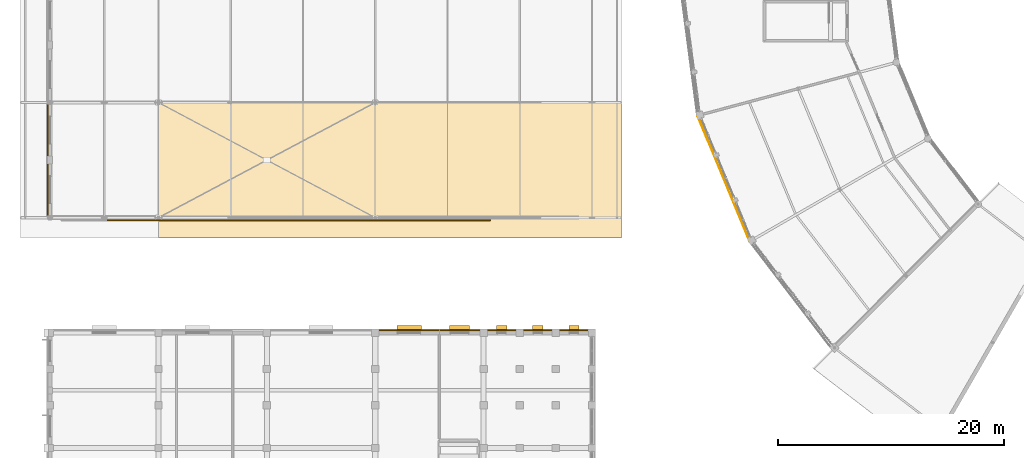
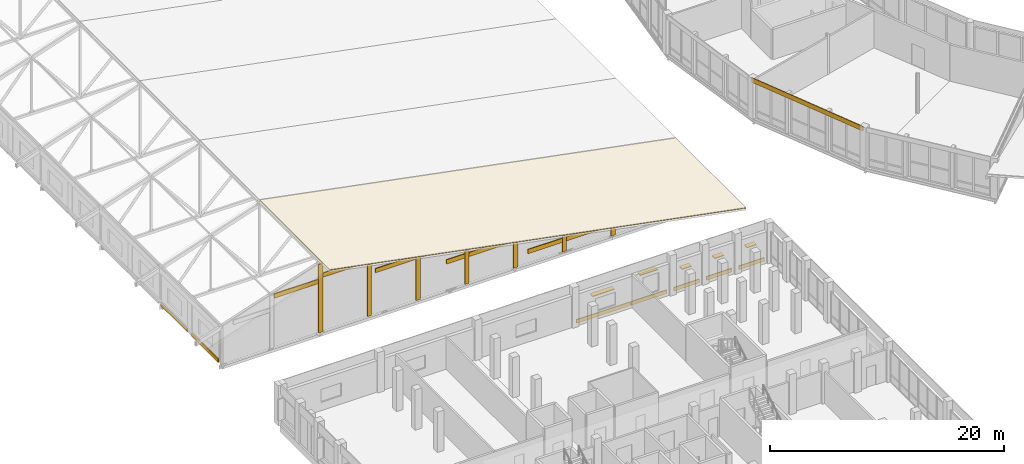
# One storey, part 193 of 200: 21 coverings, 5 shading devices.
"""IFC4 building model written with IfcOpenShell, lengths in metres."""

from ifc_helpers import new_model, si_unit, direction, frame, origin, origin_2d, place, context, subcontext, project, spatial, polyline, rectangle, outline, extrude, material, layer, layer_set, type_object, element, save


model = new_model("IFC4")

# Units and contexts
model_context = context("Model", 3, precision=1e-05, world=origin(), true_north=direction((0.0, 1.0)))
body_context = subcontext(model_context, "Body", "Model", "MODEL_VIEW")
ifc_project = project(units=[si_unit("LENGTHUNIT", "METRE"), si_unit("AREAUNIT", "SQUARE_METRE"), si_unit("VOLUMEUNIT", "CUBIC_METRE"), si_unit("PLANEANGLEUNIT", "RADIAN"), si_unit("MASSUNIT", "GRAM", prefix="KILO")], contexts=[model_context])

# Site, building, storey
site_placement = place(None, origin())
site = spatial("IfcSite", under=ifc_project, at=site_placement, CompositionType="ELEMENT")
building_placement = place(site_placement, origin())
building = spatial("IfcBuilding", under=site, at=building_placement, Name="Vondelvale Polytechnic", CompositionType="ELEMENT")
storey_placement = place(building_placement, frame((0.0, 0.0, 13.800048828125)))
storey = spatial("IfcBuildingStorey", under=building, at=storey_placement, Name="L03", CompositionType="ELEMENT", Elevation=13.800048828125)

# Coverings
ifc_material_1 = material(Name="Amsterdam School iron-spot clinker clay brickwork", Category="masonry")
ifc_layer_1 = layer(ifc_material_1, 0.090087890625)
ifc_layer_set_1 = layer_set([ifc_layer_1], Name="COV-BRICK-RELIEF")
covering_type_1 = type_object("IfcCoveringType", Name="COV-BRICK-RELIEF", PredefinedType="CLADDING", material=ifc_layer_set_1)
for number, where, z_axis, x_axis, name in (
    (1, (-0.2109375, 53.456787109375, 0.0), (0.0, 0.0, 1.0), (0.0, 1.0, 0.0), "L03 exterior corbelled masonry relief band"),
    (2, (-0.2109375, 58.743408203125, 0.0), (0.0, 0.0, 1.0), (0.0, 1.0, 0.0), "L03 exterior corbelled masonry relief band"),
):
    element("IfcCovering", number, at=place(storey_placement, frame(where, z_axis=z_axis, x_axis=x_axis)), inside=storey, type_object=covering_type_1, Name=name, PredefinedType="CLADDING", context=body_context, shape_type="SweptSolid", body=[
        extrude(rectangle(XDim=4.5244140625, YDim=0.090087890625, at=origin_2d()), origin(), (0.0, 0.0, 1.0), 0.3798828125),
    ])
covering_1_placement = place(storey_placement, frame((9.60009765625, 50.784912109375, 0.0), z_axis=(0.0, 0.0, 1.0), x_axis=(1.0, 0.0, 0.0)))
element("IfcCovering", 3, at=covering_1_placement, inside=storey, type_object=covering_type_1, Name="L03 Amsterdam School gable vertical brick pier S-2", PredefinedType="CLADDING", context=body_context, shape_type="SweptSolid", body=[
    extrude(rectangle(XDim=0.419921875, YDim=0.090087890625, at=origin_2d()), origin(), (0.0, 0.0, 1.0), 7.119140625),
])
covering_2_placement = place(storey_placement, frame((14.39990234375, 50.784912109375, 0.0), z_axis=(0.0, 0.0, 1.0), x_axis=(1.0, 0.0, 0.0)))
element("IfcCovering", 4, at=covering_2_placement, inside=storey, type_object=covering_type_1, Name="L03 Amsterdam School gable vertical brick pier S-3", PredefinedType="CLADDING", context=body_context, shape_type="SweptSolid", body=[
    extrude(rectangle(XDim=0.419921875, YDim=0.090087890625, at=origin_2d()), origin(), (0.0, 0.0, 1.0), 6.201416015625),
])
covering_3_placement = place(storey_placement, frame((19.199951171875, 50.784912109375, 0.0), z_axis=(0.0, 0.0, 1.0), x_axis=(1.0, 0.0, 0.0)))
element("IfcCovering", 5, at=covering_3_placement, inside=storey, type_object=covering_type_1, Name="L03 Amsterdam School gable vertical brick pier S-4", PredefinedType="CLADDING", context=body_context, shape_type="SweptSolid", body=[
    extrude(rectangle(XDim=0.419921875, YDim=0.090087890625, at=origin_2d()), origin(), (0.0, 0.0, 1.0), 5.2763671875),
])
covering_4_placement = place(storey_placement, frame((24.0, 50.784912109375, 0.0), z_axis=(0.0, 0.0, 1.0), x_axis=(1.0, 0.0, 0.0)))
element("IfcCovering", 6, at=covering_4_placement, inside=storey, type_object=covering_type_1, Name="L03 Amsterdam School gable vertical brick pier S-5", PredefinedType="CLADDING", context=body_context, shape_type="SweptSolid", body=[
    extrude(rectangle(XDim=0.419921875, YDim=0.090087890625, at=origin_2d()), origin(), (0.0, 0.0, 1.0), 4.351318359375),
])
covering_5_placement = place(storey_placement, frame((28.800048828125, 50.784912109375, 0.0), z_axis=(0.0, 0.0, 1.0), x_axis=(1.0, 0.0, 0.0)))
element("IfcCovering", 7, at=covering_5_placement, inside=storey, type_object=covering_type_1, Name="L03 Amsterdam School gable vertical brick pier S-6", PredefinedType="CLADDING", context=body_context, shape_type="SweptSolid", body=[
    extrude(rectangle(XDim=0.419921875, YDim=0.090087890625, at=origin_2d()), origin(), (0.0, 0.0, 1.0), 3.42626953125),
])
covering_6_placement = place(storey_placement, frame((33.60009765625, 50.784912109375, 0.0), z_axis=(0.0, 0.0, 1.0), x_axis=(1.0, 0.0, 0.0)))
element("IfcCovering", 8, at=covering_6_placement, inside=storey, type_object=covering_type_1, Name="L03 Amsterdam School gable vertical brick pier S-7", PredefinedType="CLADDING", context=body_context, shape_type="SweptSolid", body=[
    extrude(rectangle(XDim=0.419921875, YDim=0.090087890625, at=origin_2d()), origin(), (0.0, 0.0, 1.0), 2.501220703125),
])
covering_7_placement = place(storey_placement, frame((38.39990234375, 50.784912109375, 0.0), z_axis=(0.0, 0.0, 1.0), x_axis=(1.0, 0.0, 0.0)))
element("IfcCovering", 9, at=covering_7_placement, inside=storey, type_object=covering_type_1, Name="L03 Amsterdam School gable vertical brick pier S-8", PredefinedType="CLADDING", context=body_context, shape_type="SweptSolid", body=[
    extrude(rectangle(XDim=0.419921875, YDim=0.090087890625, at=origin_2d()), origin(), (0.0, 0.0, 1.0), 1.576416015625),
])
covering_8_placement = place(storey_placement, frame((7.300048828125, 50.784912109375, 5.14599609375), z_axis=(0.0, 0.0, 1.0), x_axis=(1.0, 0.0, 0.0)))
element("IfcCovering", 10, at=covering_8_placement, inside=storey, type_object=covering_type_1, Name="L03 stepped brick gable corbel S-2", PredefinedType="CLADDING", context=body_context, shape_type="SweptSolid", body=[
    extrude(rectangle(XDim=4.60009765625, YDim=0.090087890625, at=origin_2d()), origin(), (0.0, 0.0, 1.0), 0.43994140625),
])
covering_9_placement = place(storey_placement, frame((12.300048828125, 50.784912109375, 5.645751953125), z_axis=(0.0, 0.0, 1.0), x_axis=(1.0, 0.0, 0.0)))
element("IfcCovering", 11, at=covering_9_placement, inside=storey, type_object=covering_type_1, Name="L03 stepped brick gable corbel S-3", PredefinedType="CLADDING", context=body_context, shape_type="SweptSolid", body=[
    extrude(rectangle(XDim=5.39990234375, YDim=0.090087890625, at=origin_2d()), origin(), (0.0, 0.0, 1.0), 0.43994140625),
])
covering_10_placement = place(storey_placement, frame((18.5, 50.784912109375, 4.296630859375), z_axis=(0.0, 0.0, 1.0), x_axis=(1.0, 0.0, 0.0)))
element("IfcCovering", 12, at=covering_10_placement, inside=storey, type_object=covering_type_1, Name="L03 stepped brick gable corbel S-4", PredefinedType="CLADDING", context=body_context, shape_type="SweptSolid", body=[
    extrude(rectangle(XDim=7.0, YDim=0.090087890625, at=origin_2d()), origin(), (0.0, 0.0, 1.0), 0.43994140625),
])
covering_11_placement = place(storey_placement, frame((26.0, 50.784912109375, 2.755126953125), z_axis=(0.0, 0.0, 1.0), x_axis=(1.0, 0.0, 0.0)))
element("IfcCovering", 13, at=covering_11_placement, inside=storey, type_object=covering_type_1, Name="L03 stepped brick gable corbel S-5", PredefinedType="CLADDING", context=body_context, shape_type="SweptSolid", body=[
    extrude(rectangle(XDim=8.0, YDim=0.090087890625, at=origin_2d()), origin(), (0.0, 0.0, 1.0), 0.43994140625),
])
covering_12_placement = place(storey_placement, frame((34.5, 50.784912109375, 1.020751953125), z_axis=(0.0, 0.0, 1.0), x_axis=(1.0, 0.0, 0.0)))
element("IfcCovering", 14, at=covering_12_placement, inside=storey, type_object=covering_type_1, Name="L03 stepped brick gable corbel S-6", PredefinedType="CLADDING", context=body_context, shape_type="SweptSolid", body=[
    extrude(rectangle(XDim=9.0, YDim=0.090087890625, at=origin_2d()), origin(), (0.0, 0.0, 1.0), 0.43994140625),
])
covering_13_placement = place(storey_placement, frame((31.800537109375, 41.010986328125, 0.0), z_axis=(0.0, 0.0, 1.0), x_axis=(1.0, 0.0, 0.0)))
element("IfcCovering", 15, at=covering_13_placement, inside=storey, type_object=covering_type_1, Name="L03 exterior corbelled masonry relief band", PredefinedType="CLADDING", context=body_context, shape_type="SweptSolid", body=[
    extrude(rectangle(XDim=5.2890625, YDim=0.090087890625, at=origin_2d()), origin(), (0.0, 0.0, 1.0), 0.3798828125),
])
covering_14_placement = place(storey_placement, frame((36.2744140625, 41.010986328125, 0.0), z_axis=(0.0, 0.0, 1.0), x_axis=(1.0, 0.0, 0.0)))
element("IfcCovering", 16, at=covering_14_placement, inside=storey, type_object=covering_type_1, Name="L03 exterior corbelled masonry relief band", PredefinedType="CLADDING", context=body_context, shape_type="SweptSolid", body=[
    extrude(rectangle(XDim=3.5390625, YDim=0.090087890625, at=origin_2d()), origin(), (0.0, 0.0, 1.0), 0.3798828125),
])
for number, where, z_axis, x_axis, name in (
    (17, (40.0, 41.010986328125, 0.0), (0.0, 0.0, 1.0), (1.0, 0.0, 0.0), "L03 exterior corbelled masonry relief band"),
    (18, (43.199951171875, 41.010986328125, 0.0), (0.0, 0.0, 1.0), (1.0, 0.0, 0.0), "L03 exterior corbelled masonry relief band"),
    (19, (46.39990234375, 41.010986328125, 0.0), (0.0, 0.0, 1.0), (1.0, 0.0, 0.0), "L03 exterior corbelled masonry relief band"),
):
    element("IfcCovering", number, at=place(storey_placement, frame(where, z_axis=z_axis, x_axis=x_axis)), inside=storey, type_object=covering_type_1, Name=name, PredefinedType="CLADDING", context=body_context, shape_type="SweptSolid", body=[
        extrude(rectangle(XDim=2.488037109375, YDim=0.090087890625, at=origin_2d()), origin(), (0.0, 0.0, 1.0), 0.3798828125),
    ])
ifc_material_2 = material(Name="Engineered Tasmanian oak studio and bridge joinery")
ifc_layer_2 = layer(ifc_material_2, 0.06494140625)
ifc_layer_set_2 = layer_set([ifc_layer_2], Name="COV-OAK-SPANDREL")
covering_type_2 = type_object("IfcCoveringType", Name="COV-OAK-SPANDREL", PredefinedType="CLADDING", material=ifc_layer_set_2)
covering_15_placement = place(storey_placement, frame((59.67041015625, 54.466552734375, 3.719970703125), z_axis=(0.0, 0.0, 1.0), x_axis=(0.382683432365, -0.923879532511, 0.0)))
element("IfcCovering", 20, at=covering_15_placement, inside=storey, type_object=covering_type_2, Name="L03 exterior masonry spandrel band", PredefinedType="CLADDING", context=body_context, shape_type="SweptSolid", body=[
    extrude(rectangle(XDim=12.00830078125, YDim=0.06494140625, at=origin_2d()), origin(), (0.0, 0.0, 1.0), 0.47998046875),
])
ifc_material_3 = material(Name="Dark zinc-bronze standing-seam insulated roof system")
ifc_layer_3 = layer(ifc_material_3, 0.0400390625)
ifc_layer_set_3 = layer_set([ifc_layer_3], Name="COV-ROOF-ZINC")
covering_type_3 = type_object("IfcCoveringType", Name="COV-ROOF-ZINC", PredefinedType="ROOFING", material=ifc_layer_set_3)
covering_16_placement = place(storey_placement, frame((9.60009765625, 49.199951171875, 7.429931640625), z_axis=(0.189222993838, 0.0, 0.981934141683), x_axis=(0.981934141683, 0.0, -0.189222993838)))
element("IfcCovering", 21, at=covering_16_placement, inside=storey, type_object=covering_type_3, Name="Workshop insulated zinc roof deck underlay bay 1", PredefinedType="ROOFING", context=body_context, shape_type="SweptSolid", body=[
    extrude(outline(polyline([(0.0, 0.0), (41.75432776960044, 0.0), (41.75432776960044, 12.0), (0.0, 12.0), (0.0, 0.0)])), origin(), (0.0, 0.0, -1.0), 0.034912109375),
])

# Shading devices
ifc_material_4 = material(Name="Anodised extruded aluminium 6063-T6", Category="aluminium")
shading_device_type = type_object("IfcShadingDeviceType", Name="SHD-BRONZE-LOUVRE", PredefinedType="SHUTTER", material=ifc_material_4)
shading_device_1_placement = place(storey_placement, frame((31.800537109375, 41.195068359375, 2.20751953125), z_axis=(0.0, 0.0, 1.0), x_axis=(1.0, 0.0, 0.0)))
element("IfcShadingDevice", 22, at=shading_device_1_placement, inside=storey, type_object=shading_device_type, Name="L03 horizontal bronze sun-louvre overhang", PredefinedType="SHUTTER", context=body_context, shape_type="SweptSolid", body=[
    extrude(rectangle(XDim=2.159912109375, YDim=0.47998046875, at=origin_2d()), origin(), (0.0, 0.0, 1.0), 0.0849609375),
])
shading_device_2_placement = place(storey_placement, frame((36.2744140625, 41.195068359375, 2.757568359375), z_axis=(0.0, 0.0, 1.0), x_axis=(1.0, 0.0, 0.0)))
element("IfcShadingDevice", 23, at=shading_device_2_placement, inside=storey, type_object=shading_device_type, Name="L03 horizontal bronze sun-louvre overhang", PredefinedType="SHUTTER", context=body_context, shape_type="SweptSolid", body=[
    extrude(rectangle(XDim=1.760009765625, YDim=0.47998046875, at=origin_2d()), origin(), (0.0, 0.0, 1.0), 0.0849609375),
])
for number, where, z_axis, x_axis, name in (
    (24, (40.0, 41.195068359375, 1.95751953125), (0.0, 0.0, 1.0), (1.0, 0.0, 0.0), "L03 horizontal bronze sun-louvre overhang"),
    (25, (43.199951171875, 41.195068359375, 1.95751953125), (0.0, 0.0, 1.0), (1.0, 0.0, 0.0), "L03 horizontal bronze sun-louvre overhang"),
    (26, (46.39990234375, 41.195068359375, 1.95751953125), (0.0, 0.0, 1.0), (1.0, 0.0, 0.0), "L03 horizontal bronze sun-louvre overhang"),
):
    element("IfcShadingDevice", number, at=place(storey_placement, frame(where, z_axis=z_axis, x_axis=x_axis)), inside=storey, type_object=shading_device_type, Name=name, PredefinedType="SHUTTER", context=body_context, shape_type="SweptSolid", body=[
        extrude(rectangle(XDim=0.909912109375, YDim=0.47998046875, at=origin_2d()), origin(), (0.0, 0.0, 1.0), 0.0849609375),
    ])

save(model, "model.ifc")
